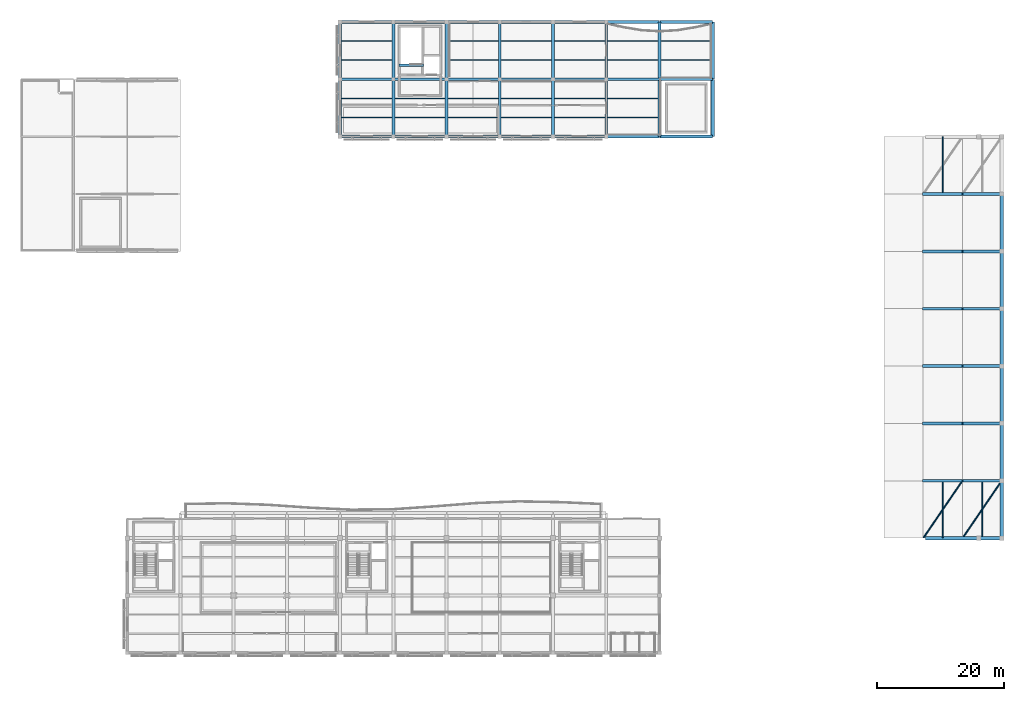
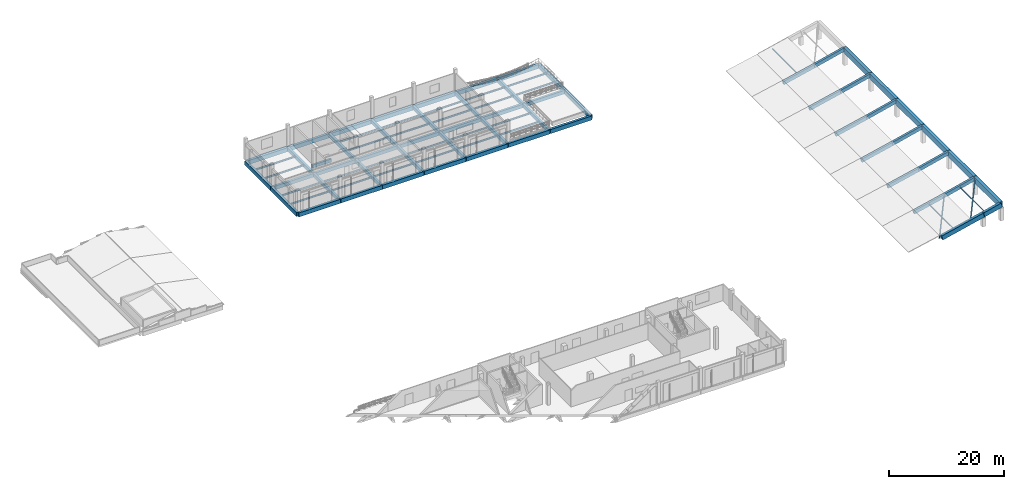
# One storey, part 6 of 28: 82 beams, 5 members.
"""IFC4 building model written with IfcOpenShell, lengths in metres."""

from ifc_helpers import new_model, si_unit, direction, frame, origin, origin_2d, place, context, subcontext, project, spatial, rectangle, hollow_circle, i_section, extrude, material, material_profile, profile_set, type_object, element, save


model = new_model("IFC4")

# Units and contexts
model_context = context("Model", 3, precision=1e-05, world=origin(), true_north=direction((0.0, 1.0)))
body_context = subcontext(model_context, "Body", "Model", "MODEL_VIEW")
ifc_project = project(units=[si_unit("LENGTHUNIT", "METRE"), si_unit("AREAUNIT", "SQUARE_METRE"), si_unit("VOLUMEUNIT", "CUBIC_METRE"), si_unit("PLANEANGLEUNIT", "RADIAN"), si_unit("MASSUNIT", "GRAM", prefix="KILO")], contexts=[model_context])

# Site, building, storey
site_placement = place(None, origin())
site = spatial("IfcSite", under=ifc_project, at=site_placement, CompositionType="ELEMENT")
building_placement = place(site_placement, origin())
building = spatial("IfcBuilding", under=site, at=building_placement, Name="Khurvash Pelagic Aquarium", CompositionType="ELEMENT")
storey_placement = place(building_placement, frame((0.0, 0.0, 20.10009765625)))
storey = spatial("IfcBuildingStorey", under=building, at=storey_placement, Name="L04", CompositionType="ELEMENT", Elevation=20.10009765625)

# Beams
ifc_material_1 = material(Name="Concrete C35/45", Category="concrete")
ifc_material_profile_1 = material_profile(ifc_material_1, rectangle(XDim=0.449951171875, YDim=0.75, at=origin_2d()), Name="RC450X750")
ifc_profile_set_1 = profile_set([ifc_material_profile_1], Name="Concrete C35/45")
beam_type_1 = type_object("IfcBeamType", Name="BM-04", PredefinedType="BEAM", material=ifc_profile_set_1)
beam_1_placement = place(storey_placement, frame((58.840087890625, 93.10009765625, -0.695068359375), z_axis=(1.0, 0.0, 0.0), x_axis=(0.0, 1.0, 0.0)))
element("IfcBeam", 1, at=beam_1_placement, inside=storey, type_object=beam_type_1, Name="L04 Primary Girder BM-04 01081", PredefinedType="BEAM", context=body_context, shape_type="SweptSolid", body=[
    extrude(rectangle(XDim=0.449951171875, YDim=0.75, at=origin_2d()), origin(), (0.0, 0.0, 1.0), 8.31982421875),
])
for number, where, z_axis, x_axis, name in (
    (2, (67.239990234375, 93.10009765625, -0.695068359375), (1.0, 0.0, 0.0), (0.0, 1.0, 0.0), "L04 Primary Girder BM-04 01082"),
    (3, (75.639892578125, 93.10009765625, -0.695068359375), (1.0, 0.0, 0.0), (0.0, 1.0, 0.0), "L04 Primary Girder BM-04 01083"),
    (4, (84.0400390625, 93.10009765625, -0.695068359375), (1.0, 0.0, 0.0), (0.0, 1.0, 0.0), "L04 Primary Girder BM-04 01084"),
    (5, (92.43994140625, 93.10009765625, -0.695068359375), (1.0, 0.0, 0.0), (0.0, 1.0, 0.0), "L04 Primary Girder BM-04 01085"),
):
    element("IfcBeam", number, at=place(storey_placement, frame(where, z_axis=z_axis, x_axis=x_axis)), inside=storey, type_object=beam_type_1, Name=name, PredefinedType="BEAM", context=body_context, shape_type="SweptSolid", body=[
        extrude(rectangle(XDim=0.449951171875, YDim=0.75, at=origin_2d()), origin(), (0.0, 0.0, 1.0), 8.320068359375),
    ])
beam_2_placement = place(storey_placement, frame((100.840087890625, 93.10009765625, -0.695068359375), z_axis=(1.0, 0.0, 0.0), x_axis=(0.0, 1.0, 0.0)))
element("IfcBeam", 6, at=beam_2_placement, inside=storey, type_object=beam_type_1, Name="L04 Primary Girder BM-04 01086", PredefinedType="BEAM", context=body_context, shape_type="SweptSolid", body=[
    extrude(rectangle(XDim=0.449951171875, YDim=0.75, at=origin_2d()), origin(), (0.0, 0.0, 1.0), 8.31982421875),
])
beam_3_placement = place(storey_placement, frame((109.239990234375, 93.10009765625, -0.695068359375), z_axis=(1.0, 0.0, 0.0), x_axis=(0.0, 1.0, 0.0)))
element("IfcBeam", 7, at=beam_3_placement, inside=storey, type_object=beam_type_1, Name="L04 Primary Girder BM-04 01087", PredefinedType="BEAM", context=body_context, shape_type="SweptSolid", body=[
    extrude(rectangle(XDim=0.449951171875, YDim=0.75, at=origin_2d()), origin(), (0.0, 0.0, 1.0), 8.320068359375),
])
beam_4_placement = place(storey_placement, frame((67.199951171875, 84.090087890625, -0.675048828125), z_axis=(0.0, 1.0, 0.0), x_axis=(-1.0, 0.0, 0.0)))
element("IfcBeam", 8, at=beam_4_placement, inside=storey, type_object=beam_type_1, Name="L04 Primary Girder BM-04 01109", PredefinedType="BEAM", context=body_context, shape_type="SweptSolid", body=[
    extrude(rectangle(XDim=0.449951171875, YDim=0.75, at=origin_2d()), origin(), (0.0, 0.0, 1.0), 8.969970703125),
])
beam_5_placement = place(storey_placement, frame((67.199951171875, 93.139892578125, -0.675048828125), z_axis=(0.0, 1.0, 0.0), x_axis=(-1.0, 0.0, 0.0)))
element("IfcBeam", 9, at=beam_5_placement, inside=storey, type_object=beam_type_1, Name="L04 Primary Girder BM-04 01110", PredefinedType="BEAM", context=body_context, shape_type="SweptSolid", body=[
    extrude(rectangle(XDim=0.449951171875, YDim=0.75, at=origin_2d()), origin(), (0.0, 0.0, 1.0), 8.97021484375),
])
beam_6_placement = place(storey_placement, frame((75.60009765625, 84.090087890625, -0.675048828125), z_axis=(0.0, 1.0, 0.0), x_axis=(-1.0, 0.0, 0.0)))
element("IfcBeam", 10, at=beam_6_placement, inside=storey, type_object=beam_type_1, Name="L04 Primary Girder BM-04 01113", PredefinedType="BEAM", context=body_context, shape_type="SweptSolid", body=[
    extrude(rectangle(XDim=0.449951171875, YDim=0.75, at=origin_2d()), origin(), (0.0, 0.0, 1.0), 8.969970703125),
])
beam_7_placement = place(storey_placement, frame((75.60009765625, 93.139892578125, -0.675048828125), z_axis=(0.0, 1.0, 0.0), x_axis=(-1.0, 0.0, 0.0)))
element("IfcBeam", 11, at=beam_7_placement, inside=storey, type_object=beam_type_1, Name="L04 Primary Girder BM-04 01114", PredefinedType="BEAM", context=body_context, shape_type="SweptSolid", body=[
    extrude(rectangle(XDim=0.449951171875, YDim=0.75, at=origin_2d()), origin(), (0.0, 0.0, 1.0), 8.97021484375),
])
beam_8_placement = place(storey_placement, frame((84.0, 84.090087890625, -0.675048828125), z_axis=(0.0, 1.0, 0.0), x_axis=(-1.0, 0.0, 0.0)))
element("IfcBeam", 12, at=beam_8_placement, inside=storey, type_object=beam_type_1, Name="L04 Primary Girder BM-04 01117", PredefinedType="BEAM", context=body_context, shape_type="SweptSolid", body=[
    extrude(rectangle(XDim=0.449951171875, YDim=0.75, at=origin_2d()), origin(), (0.0, 0.0, 1.0), 8.969970703125),
])
beam_9_placement = place(storey_placement, frame((84.0, 93.139892578125, -0.675048828125), z_axis=(0.0, 1.0, 0.0), x_axis=(-1.0, 0.0, 0.0)))
element("IfcBeam", 13, at=beam_9_placement, inside=storey, type_object=beam_type_1, Name="L04 Primary Girder BM-04 01118", PredefinedType="BEAM", context=body_context, shape_type="SweptSolid", body=[
    extrude(rectangle(XDim=0.449951171875, YDim=0.75, at=origin_2d()), origin(), (0.0, 0.0, 1.0), 8.97021484375),
])
beam_10_placement = place(storey_placement, frame((92.39990234375, 84.090087890625, -0.675048828125), z_axis=(0.0, 1.0, 0.0), x_axis=(-1.0, 0.0, 0.0)))
element("IfcBeam", 14, at=beam_10_placement, inside=storey, type_object=beam_type_1, Name="L04 Primary Girder BM-04 01121", PredefinedType="BEAM", context=body_context, shape_type="SweptSolid", body=[
    extrude(rectangle(XDim=0.449951171875, YDim=0.75, at=origin_2d()), origin(), (0.0, 0.0, 1.0), 8.969970703125),
])
beam_11_placement = place(storey_placement, frame((92.39990234375, 93.139892578125, -0.675048828125), z_axis=(0.0, 1.0, 0.0), x_axis=(-1.0, 0.0, 0.0)))
element("IfcBeam", 15, at=beam_11_placement, inside=storey, type_object=beam_type_1, Name="L04 Primary Girder BM-04 01122", PredefinedType="BEAM", context=body_context, shape_type="SweptSolid", body=[
    extrude(rectangle(XDim=0.449951171875, YDim=0.75, at=origin_2d()), origin(), (0.0, 0.0, 1.0), 8.97021484375),
])
beam_12_placement = place(storey_placement, frame((100.800048828125, 84.090087890625, -0.675048828125), z_axis=(0.0, 1.0, 0.0), x_axis=(-1.0, 0.0, 0.0)))
element("IfcBeam", 16, at=beam_12_placement, inside=storey, type_object=beam_type_1, Name="L04 Primary Girder BM-04 01125", PredefinedType="BEAM", context=body_context, shape_type="SweptSolid", body=[
    extrude(rectangle(XDim=0.449951171875, YDim=0.75, at=origin_2d()), origin(), (0.0, 0.0, 1.0), 8.969970703125),
])
beam_13_placement = place(storey_placement, frame((100.800048828125, 93.139892578125, -0.675048828125), z_axis=(0.0, 1.0, 0.0), x_axis=(-1.0, 0.0, 0.0)))
element("IfcBeam", 17, at=beam_13_placement, inside=storey, type_object=beam_type_1, Name="L04 Primary Girder BM-04 01126", PredefinedType="BEAM", context=body_context, shape_type="SweptSolid", body=[
    extrude(rectangle(XDim=0.449951171875, YDim=0.75, at=origin_2d()), origin(), (0.0, 0.0, 1.0), 8.97021484375),
])
beam_14_placement = place(storey_placement, frame((109.199951171875, 84.090087890625, -0.675048828125), z_axis=(0.0, 1.0, 0.0), x_axis=(-1.0, 0.0, 0.0)))
element("IfcBeam", 18, at=beam_14_placement, inside=storey, type_object=beam_type_1, Name="L04 Primary Girder BM-04 01129", PredefinedType="BEAM", context=body_context, shape_type="SweptSolid", body=[
    extrude(rectangle(XDim=0.449951171875, YDim=0.75, at=origin_2d()), origin(), (0.0, 0.0, 1.0), 8.969970703125),
])
beam_15_placement = place(storey_placement, frame((109.199951171875, 93.139892578125, -0.675048828125), z_axis=(0.0, 1.0, 0.0), x_axis=(-1.0, 0.0, 0.0)))
element("IfcBeam", 19, at=beam_15_placement, inside=storey, type_object=beam_type_1, Name="L04 Primary Girder BM-04 01130", PredefinedType="BEAM", context=body_context, shape_type="SweptSolid", body=[
    extrude(rectangle(XDim=0.449951171875, YDim=0.75, at=origin_2d()), origin(), (0.0, 0.0, 1.0), 8.97021484375),
])
ifc_material_profile_2 = material_profile(ifc_material_1, rectangle(XDim=0.39990234375, YDim=0.64990234375, at=origin_2d()), Name="RC400X650")
ifc_profile_set_2 = profile_set([ifc_material_profile_2], Name="Concrete C35/45")
beam_type_2 = type_object("IfcBeamType", Name="BM-05", PredefinedType="BEAM", material=ifc_profile_set_2)
beam_16_placement = place(storey_placement, frame((68.080078125, 95.320068359375, -0.625), z_axis=(1.0, 0.0, 0.0), x_axis=(0.0, 1.0, 0.0)))
element("IfcBeam", 20, at=beam_16_placement, inside=storey, type_object=beam_type_2, Name="L04 Stair ST-04 Header Trimmer Beam BM-05", PredefinedType="BEAM", context=body_context, shape_type="SweptSolid", body=[
    extrude(rectangle(XDim=0.39990234375, YDim=0.64990234375, at=origin_2d()), origin(), (0.0, 0.0, 1.0), 3.83984375),
])
ifc_material_2 = material(Name="Steel-fibre concrete C40/50", Category="concrete")
ifc_material_profile_3 = material_profile(ifc_material_2, rectangle(XDim=0.449951171875, YDim=0.75, at=origin_2d()), Name="RC450X750")
ifc_profile_set_3 = profile_set([ifc_material_profile_3], Name="Steel-fibre concrete C40/50")
beam_type_3 = type_object("IfcBeamType", Name="BM-06", PredefinedType="BEAM", material=ifc_profile_set_3)
beam_17_placement = place(storey_placement, frame((150.81005859375, 29.75, 0.452880859375), z_axis=(0.974949023151, 0.0, 0.222428420523), x_axis=(0.0, 1.0, 0.0)))
element("IfcBeam", 21, at=beam_17_placement, inside=storey, type_object=beam_type_3, Name="Wave Shell Arch Rib BM-06 Grid E Seg 5", PredefinedType="BEAM", context=body_context, shape_type="SweptSolid", body=[
    extrude(rectangle(XDim=0.449951171875, YDim=0.75, at=origin_2d()), origin(), (0.0, 0.0, 1.0), 6.338623046875),
])
beam_18_placement = place(storey_placement, frame((157.010009765625, 29.75, 1.86279296875), z_axis=(0.971422213686, 0.0, 0.237358131855), x_axis=(0.0, 1.0, 0.0)))
element("IfcBeam", 22, at=beam_18_placement, inside=storey, type_object=beam_type_3, Name="Wave Shell Arch Rib BM-06 Grid E Seg 6", PredefinedType="BEAM", context=body_context, shape_type="SweptSolid", body=[
    extrude(rectangle(XDim=0.449951171875, YDim=0.75, at=origin_2d()), origin(), (0.0, 0.0, 1.0), 6.36181640625),
])
beam_19_placement = place(storey_placement, frame((150.81005859375, 38.800048828125, 0.452880859375), z_axis=(0.974949023151, 0.0, 0.222428420523), x_axis=(0.0, 1.0, 0.0)))
element("IfcBeam", 23, at=beam_19_placement, inside=storey, type_object=beam_type_3, Name="Wave Shell Arch Rib BM-06 Grid F Seg 5", PredefinedType="BEAM", context=body_context, shape_type="SweptSolid", body=[
    extrude(rectangle(XDim=0.449951171875, YDim=0.75, at=origin_2d()), origin(), (0.0, 0.0, 1.0), 6.338623046875),
])
beam_20_placement = place(storey_placement, frame((157.010009765625, 38.800048828125, 1.86279296875), z_axis=(0.971422213686, 0.0, 0.237358131855), x_axis=(0.0, 1.0, 0.0)))
element("IfcBeam", 24, at=beam_20_placement, inside=storey, type_object=beam_type_3, Name="Wave Shell Arch Rib BM-06 Grid F Seg 6", PredefinedType="BEAM", context=body_context, shape_type="SweptSolid", body=[
    extrude(rectangle(XDim=0.449951171875, YDim=0.75, at=origin_2d()), origin(), (0.0, 0.0, 1.0), 6.36181640625),
])
beam_21_placement = place(storey_placement, frame((150.81005859375, 47.85009765625, 0.452880859375), z_axis=(0.974949023151, 0.0, 0.222428420523), x_axis=(0.0, 1.0, 0.0)))
element("IfcBeam", 25, at=beam_21_placement, inside=storey, type_object=beam_type_3, Name="Wave Shell Arch Rib BM-06 Grid G Seg 5", PredefinedType="BEAM", context=body_context, shape_type="SweptSolid", body=[
    extrude(rectangle(XDim=0.449951171875, YDim=0.75, at=origin_2d()), origin(), (0.0, 0.0, 1.0), 6.338623046875),
])
beam_22_placement = place(storey_placement, frame((157.010009765625, 47.85009765625, 1.86279296875), z_axis=(0.971422213686, 0.0, 0.237358131855), x_axis=(0.0, 1.0, 0.0)))
element("IfcBeam", 26, at=beam_22_placement, inside=storey, type_object=beam_type_3, Name="Wave Shell Arch Rib BM-06 Grid G Seg 6", PredefinedType="BEAM", context=body_context, shape_type="SweptSolid", body=[
    extrude(rectangle(XDim=0.449951171875, YDim=0.75, at=origin_2d()), origin(), (0.0, 0.0, 1.0), 6.36181640625),
])
beam_23_placement = place(storey_placement, frame((150.81005859375, 56.89990234375, 0.452880859375), z_axis=(0.974949023151, 0.0, 0.222428420523), x_axis=(0.0, 1.0, 0.0)))
element("IfcBeam", 27, at=beam_23_placement, inside=storey, type_object=beam_type_3, Name="Wave Shell Arch Rib BM-06 Grid H Seg 5", PredefinedType="BEAM", context=body_context, shape_type="SweptSolid", body=[
    extrude(rectangle(XDim=0.449951171875, YDim=0.75, at=origin_2d()), origin(), (0.0, 0.0, 1.0), 6.338623046875),
])
beam_24_placement = place(storey_placement, frame((157.010009765625, 56.89990234375, 1.86279296875), z_axis=(0.971422213686, 0.0, 0.237358131855), x_axis=(0.0, 1.0, 0.0)))
element("IfcBeam", 28, at=beam_24_placement, inside=storey, type_object=beam_type_3, Name="Wave Shell Arch Rib BM-06 Grid H Seg 6", PredefinedType="BEAM", context=body_context, shape_type="SweptSolid", body=[
    extrude(rectangle(XDim=0.449951171875, YDim=0.75, at=origin_2d()), origin(), (0.0, 0.0, 1.0), 6.36181640625),
])
beam_25_placement = place(storey_placement, frame((150.81005859375, 65.949951171875, 0.452880859375), z_axis=(0.974949023151, 0.0, 0.222428420523), x_axis=(0.0, 1.0, 0.0)))
element("IfcBeam", 29, at=beam_25_placement, inside=storey, type_object=beam_type_3, Name="Wave Shell Arch Rib BM-06 Grid J Seg 5", PredefinedType="BEAM", context=body_context, shape_type="SweptSolid", body=[
    extrude(rectangle(XDim=0.449951171875, YDim=0.75, at=origin_2d()), origin(), (0.0, 0.0, 1.0), 6.338623046875),
])
beam_26_placement = place(storey_placement, frame((157.010009765625, 65.949951171875, 1.86279296875), z_axis=(0.971422213686, 0.0, 0.237358131855), x_axis=(0.0, 1.0, 0.0)))
element("IfcBeam", 30, at=beam_26_placement, inside=storey, type_object=beam_type_3, Name="Wave Shell Arch Rib BM-06 Grid J Seg 6", PredefinedType="BEAM", context=body_context, shape_type="SweptSolid", body=[
    extrude(rectangle(XDim=0.449951171875, YDim=0.75, at=origin_2d()), origin(), (0.0, 0.0, 1.0), 6.36181640625),
])
beam_27_placement = place(storey_placement, frame((150.81005859375, 75.0, 0.452880859375), z_axis=(0.974949023151, 0.0, 0.222428420523), x_axis=(0.0, 1.0, 0.0)))
element("IfcBeam", 31, at=beam_27_placement, inside=storey, type_object=beam_type_3, Name="Wave Shell Arch Rib BM-06 Grid K Seg 5", PredefinedType="BEAM", context=body_context, shape_type="SweptSolid", body=[
    extrude(rectangle(XDim=0.449951171875, YDim=0.75, at=origin_2d()), origin(), (0.0, 0.0, 1.0), 6.338623046875),
])
beam_28_placement = place(storey_placement, frame((157.010009765625, 75.0, 1.86279296875), z_axis=(0.971422213686, 0.0, 0.237358131855), x_axis=(0.0, 1.0, 0.0)))
element("IfcBeam", 32, at=beam_28_placement, inside=storey, type_object=beam_type_3, Name="Wave Shell Arch Rib BM-06 Grid K Seg 6", PredefinedType="BEAM", context=body_context, shape_type="SweptSolid", body=[
    extrude(rectangle(XDim=0.449951171875, YDim=0.75, at=origin_2d()), origin(), (0.0, 0.0, 1.0), 6.36181640625),
])

# Members
ifc_material_3 = material(Name="Steel S355J2", Category="steel")
ifc_material_profile_4 = material_profile(ifc_material_3, hollow_circle(Radius=0.109619140625, WallThickness=0.010009765625, at=origin_2d()), Name="CHS219X10")
ifc_profile_set_4 = profile_set([ifc_material_profile_4], Name="Steel S355J2")
member_type_1 = type_object("IfcMemberType", Name="CL-01", PredefinedType="COLLAR", material=ifc_profile_set_4)
for number, where, z_axis, x_axis, name in (
    (33, (153.89990234375, 20.719970703125, 1.0849609375), (0.0, 1.0, 0.0), (-1.0, 0.0, 0.0), "Wave Shell Collar Tie CL-01 00009"),
    (34, (160.10009765625, 20.719970703125, 2.544921875), (0.0, 1.0, 0.0), (-1.0, 0.0, 0.0), "Wave Shell Collar Tie CL-01 00011"),
    (35, (153.89990234375, 75.02001953125, 1.0849609375), (0.0, 1.0, 0.0), (-1.0, 0.0, 0.0), "Wave Shell Collar Tie CL-01 00021"),
):
    element("IfcMember", number, at=place(storey_placement, frame(where, z_axis=z_axis, x_axis=x_axis)), inside=storey, type_object=member_type_1, Name=name, PredefinedType="COLLAR", context=body_context, shape_type="SweptSolid", body=[
        extrude(hollow_circle(Radius=0.109619140625, WallThickness=0.010009765625, at=origin_2d()), origin(), (0.0, 0.0, 1.0), 9.010009765625),
    ])

# Beams
ifc_material_profile_5 = material_profile(ifc_material_3, i_section(OverallWidth=0.169921875, OverallDepth=0.360107421875, WebThickness=0.008056640625, FlangeThickness=0.0126953125, at=origin_2d()), Name="IPE360")
ifc_profile_set_5 = profile_set([ifc_material_profile_5], Name="Steel S355J2")
beam_type_4 = type_object("IfcBeamType", Name="JS-04", PredefinedType="JOIST", material=ifc_profile_set_5)
for number, where, z_axis, x_axis, name in (
    (36, (59.050048828125, 87.06689453125, -0.47998046875), (1.0, 0.0, 0.0), (0.0, 1.0, 0.0), "L04 Floor Joist JS-04 01149"),
    (37, (59.050048828125, 90.0830078125, -0.47998046875), (1.0, 0.0, 0.0), (0.0, 1.0, 0.0), "L04 Floor Joist JS-04 01150"),
    (38, (59.050048828125, 96.116943359375, -0.47998046875), (1.0, 0.0, 0.0), (0.0, 1.0, 0.0), "L04 Floor Joist JS-04 01151"),
    (39, (59.050048828125, 99.133056640625, -0.47998046875), (1.0, 0.0, 0.0), (0.0, 1.0, 0.0), "L04 Floor Joist JS-04 01152"),
):
    element("IfcBeam", number, at=place(storey_placement, frame(where, z_axis=z_axis, x_axis=x_axis)), inside=storey, type_object=beam_type_4, Name=name, PredefinedType="JOIST", context=body_context, shape_type="SweptSolid", body=[
        extrude(i_section(OverallWidth=0.169921875, OverallDepth=0.360107421875, WebThickness=0.008056640625, FlangeThickness=0.0126953125, at=origin_2d()), origin(), (0.0, 0.0, 1.0), 7.925048828125),
    ])
for number, where, z_axis, x_axis, name in (
    (40, (67.425048828125, 87.06689453125, -0.47998046875), (1.0, 0.0, 0.0), (0.0, 1.0, 0.0), "L04 Floor Joist JS-04 01157"),
    (41, (67.425048828125, 90.0830078125, -0.47998046875), (1.0, 0.0, 0.0), (0.0, 1.0, 0.0), "L04 Floor Joist JS-04 01158"),
    (42, (75.824951171875, 87.06689453125, -0.47998046875), (1.0, 0.0, 0.0), (0.0, 1.0, 0.0), "L04 Floor Joist JS-04 01163"),
    (43, (75.824951171875, 90.0830078125, -0.47998046875), (1.0, 0.0, 0.0), (0.0, 1.0, 0.0), "L04 Floor Joist JS-04 01164"),
    (44, (75.824951171875, 96.116943359375, -0.47998046875), (1.0, 0.0, 0.0), (0.0, 1.0, 0.0), "L04 Floor Joist JS-04 01165"),
    (45, (75.824951171875, 99.133056640625, -0.47998046875), (1.0, 0.0, 0.0), (0.0, 1.0, 0.0), "L04 Floor Joist JS-04 01166"),
    (46, (84.22509765625, 87.06689453125, -0.47998046875), (1.0, 0.0, 0.0), (0.0, 1.0, 0.0), "L04 Floor Joist JS-04 01171"),
    (47, (84.22509765625, 90.0830078125, -0.47998046875), (1.0, 0.0, 0.0), (0.0, 1.0, 0.0), "L04 Floor Joist JS-04 01172"),
    (48, (84.22509765625, 96.116943359375, -0.47998046875), (1.0, 0.0, 0.0), (0.0, 1.0, 0.0), "L04 Floor Joist JS-04 01173"),
    (49, (84.22509765625, 99.133056640625, -0.47998046875), (1.0, 0.0, 0.0), (0.0, 1.0, 0.0), "L04 Floor Joist JS-04 01174"),
    (50, (92.625, 87.06689453125, -0.47998046875), (1.0, 0.0, 0.0), (0.0, 1.0, 0.0), "L04 Floor Joist JS-04 01177"),
    (51, (92.625, 90.0830078125, -0.47998046875), (1.0, 0.0, 0.0), (0.0, 1.0, 0.0), "L04 Floor Joist JS-04 01178"),
    (52, (92.625, 96.116943359375, -0.47998046875), (1.0, 0.0, 0.0), (0.0, 1.0, 0.0), "L04 Floor Joist JS-04 01179"),
    (53, (92.625, 99.133056640625, -0.47998046875), (1.0, 0.0, 0.0), (0.0, 1.0, 0.0), "L04 Floor Joist JS-04 01180"),
):
    element("IfcBeam", number, at=place(storey_placement, frame(where, z_axis=z_axis, x_axis=x_axis)), inside=storey, type_object=beam_type_4, Name=name, PredefinedType="JOIST", context=body_context, shape_type="SweptSolid", body=[
        extrude(i_section(OverallWidth=0.169921875, OverallDepth=0.360107421875, WebThickness=0.008056640625, FlangeThickness=0.0126953125, at=origin_2d()), origin(), (0.0, 0.0, 1.0), 7.949951171875),
    ])
for number, where, z_axis, x_axis, name in (
    (54, (101.02490234375, 87.06689453125, -0.47998046875), (1.0, 0.0, 0.0), (0.0, 1.0, 0.0), "L04 Floor Joist JS-04 01185"),
    (55, (101.02490234375, 90.0830078125, -0.47998046875), (1.0, 0.0, 0.0), (0.0, 1.0, 0.0), "L04 Floor Joist JS-04 01186"),
    (56, (101.02490234375, 96.116943359375, -0.47998046875), (1.0, 0.0, 0.0), (0.0, 1.0, 0.0), "L04 Floor Joist JS-04 01187"),
    (57, (101.02490234375, 99.133056640625, -0.47998046875), (1.0, 0.0, 0.0), (0.0, 1.0, 0.0), "L04 Floor Joist JS-04 01188"),
):
    element("IfcBeam", number, at=place(storey_placement, frame(where, z_axis=z_axis, x_axis=x_axis)), inside=storey, type_object=beam_type_4, Name=name, PredefinedType="JOIST", context=body_context, shape_type="SweptSolid", body=[
        extrude(i_section(OverallWidth=0.169921875, OverallDepth=0.360107421875, WebThickness=0.008056640625, FlangeThickness=0.0126953125, at=origin_2d()), origin(), (0.0, 0.0, 1.0), 7.9501953125),
    ])
for number, where, z_axis, x_axis, name in (
    (58, (109.425048828125, 96.116943359375, -0.47998046875), (1.0, 0.0, 0.0), (0.0, 1.0, 0.0), "L04 Floor Joist JS-04 01189"),
    (59, (109.425048828125, 99.133056640625, -0.47998046875), (1.0, 0.0, 0.0), (0.0, 1.0, 0.0), "L04 Floor Joist JS-04 01190"),
):
    element("IfcBeam", number, at=place(storey_placement, frame(where, z_axis=z_axis, x_axis=x_axis)), inside=storey, type_object=beam_type_4, Name=name, PredefinedType="JOIST", context=body_context, shape_type="SweptSolid", body=[
        extrude(i_section(OverallWidth=0.169921875, OverallDepth=0.360107421875, WebThickness=0.008056640625, FlangeThickness=0.0126953125, at=origin_2d()), origin(), (0.0, 0.0, 1.0), 7.925048828125),
    ])
ifc_material_4 = material(Name="Concrete C40/50", Category="concrete")
ifc_material_profile_6 = material_profile(ifc_material_4, rectangle(XDim=0.60009765625, YDim=1.199951171875, at=origin_2d()), Name="RC600X1200")
ifc_profile_set_6 = profile_set([ifc_material_profile_6], Name="Concrete C40/50")
beam_type_5 = type_object("IfcBeamType", Name="SEB-01", PredefinedType="SPANDREL", material=ifc_profile_set_6)
for number, where, z_axis, x_axis, name in (
    (60, (163.199951171875, 20.739990234375, 3.14990234375), (0.0, 1.0, 0.0), (-1.0, 0.0, 0.0), "Wave Shell East Crest Spandrel Edge Beam SEB-01 1"),
    (61, (163.199951171875, 29.7900390625, 3.14990234375), (0.0, 1.0, 0.0), (-1.0, 0.0, 0.0), "Wave Shell East Crest Spandrel Edge Beam SEB-01 2"),
    (62, (163.199951171875, 38.840087890625, 3.14990234375), (0.0, 1.0, 0.0), (-1.0, 0.0, 0.0), "Wave Shell East Crest Spandrel Edge Beam SEB-01 3"),
):
    element("IfcBeam", number, at=place(storey_placement, frame(where, z_axis=z_axis, x_axis=x_axis)), inside=storey, type_object=beam_type_5, Name=name, PredefinedType="SPANDREL", context=body_context, shape_type="SweptSolid", body=[
        extrude(rectangle(XDim=0.60009765625, YDim=1.199951171875, at=origin_2d()), origin(), (0.0, 0.0, 1.0), 8.969970703125),
    ])
beam_29_placement = place(storey_placement, frame((163.199951171875, 47.889892578125, 3.14990234375), z_axis=(0.0, 1.0, 0.0), x_axis=(-1.0, 0.0, 0.0)))
element("IfcBeam", 63, at=beam_29_placement, inside=storey, type_object=beam_type_5, Name="Wave Shell East Crest Spandrel Edge Beam SEB-01 4", PredefinedType="SPANDREL", context=body_context, shape_type="SweptSolid", body=[
    extrude(rectangle(XDim=0.60009765625, YDim=1.199951171875, at=origin_2d()), origin(), (0.0, 0.0, 1.0), 8.97021484375),
])
for number, where, z_axis, x_axis, name in (
    (64, (163.199951171875, 56.93994140625, 3.14990234375), (0.0, 1.0, 0.0), (-1.0, 0.0, 0.0), "Wave Shell East Crest Spandrel Edge Beam SEB-01 5"),
    (65, (163.199951171875, 65.989990234375, 3.14990234375), (0.0, 1.0, 0.0), (-1.0, 0.0, 0.0), "Wave Shell East Crest Spandrel Edge Beam SEB-01 6"),
):
    element("IfcBeam", number, at=place(storey_placement, frame(where, z_axis=z_axis, x_axis=x_axis)), inside=storey, type_object=beam_type_5, Name=name, PredefinedType="SPANDREL", context=body_context, shape_type="SweptSolid", body=[
        extrude(rectangle(XDim=0.60009765625, YDim=1.199951171875, at=origin_2d()), origin(), (0.0, 0.0, 1.0), 8.969970703125),
    ])
ifc_material_profile_7 = material_profile(ifc_material_4, rectangle(XDim=0.550048828125, YDim=0.949951171875, at=origin_2d()), Name="RC550X950")
ifc_profile_set_7 = profile_set([ifc_material_profile_7], Name="Concrete C40/50")
beam_type_6 = type_object("IfcBeamType", Name="SEB-02", PredefinedType="SPANDREL", material=ifc_profile_set_7)
beam_30_placement = place(storey_placement, frame((151.239990234375, 20.699951171875, 0.44580078125), z_axis=(0.973560845432, 0.0, 0.228427844716), x_axis=(0.0, 1.0, 0.0)))
element("IfcBeam", 66, at=beam_30_placement, inside=storey, type_object=beam_type_6, Name="Wave Shell South Raking Spandrel Edge Beam SEB-02", PredefinedType="SPANDREL", context=body_context, shape_type="SweptSolid", body=[
    extrude(rectangle(XDim=0.550048828125, YDim=0.949951171875, at=origin_2d()), origin(), (0.0, 0.0, 1.0), 8.5458984375),
])
beam_31_placement = place(storey_placement, frame((159.639892578125, 20.699951171875, 2.39794921875), z_axis=(0.970340120002, 0.0, 0.241743772441), x_axis=(0.0, 1.0, 0.0)))
element("IfcBeam", 67, at=beam_31_placement, inside=storey, type_object=beam_type_6, Name="Wave Shell South Raking Spandrel Edge Beam SEB-02", PredefinedType="SPANDREL", context=body_context, shape_type="SweptSolid", body=[
    extrude(rectangle(XDim=0.550048828125, YDim=0.949951171875, at=origin_2d()), origin(), (0.0, 0.0, 1.0), 3.627685546875),
])
ifc_material_profile_8 = material_profile(ifc_material_4, rectangle(XDim=0.5, YDim=0.85009765625, at=origin_2d()), Name="RC500X850")
ifc_profile_set_8 = profile_set([ifc_material_profile_8], Name="Concrete C40/50")
beam_type_7 = type_object("IfcBeamType", Name="SEB-03", PredefinedType="SPANDREL", material=ifc_profile_set_8)
beam_32_placement = place(storey_placement, frame((58.840087890625, 84.050048828125, -0.7451171875), z_axis=(1.0, 0.0, 0.0), x_axis=(0.0, 1.0, 0.0)))
element("IfcBeam", 68, at=beam_32_placement, inside=storey, type_object=beam_type_7, Name="L04 Primary Girder SEB-03 01074", PredefinedType="SPANDREL", context=body_context, shape_type="SweptSolid", body=[
    extrude(rectangle(XDim=0.5, YDim=0.85009765625, at=origin_2d()), origin(), (0.0, 0.0, 1.0), 8.31982421875),
])
for number, where, z_axis, x_axis, name in (
    (69, (67.239990234375, 84.050048828125, -0.7451171875), (1.0, 0.0, 0.0), (0.0, 1.0, 0.0), "L04 Primary Girder SEB-03 01075"),
    (70, (75.639892578125, 84.050048828125, -0.7451171875), (1.0, 0.0, 0.0), (0.0, 1.0, 0.0), "L04 Primary Girder SEB-03 01076"),
    (71, (84.0400390625, 84.050048828125, -0.7451171875), (1.0, 0.0, 0.0), (0.0, 1.0, 0.0), "L04 Primary Girder SEB-03 01077"),
    (72, (92.43994140625, 84.050048828125, -0.7451171875), (1.0, 0.0, 0.0), (0.0, 1.0, 0.0), "L04 Primary Girder SEB-03 01078"),
):
    element("IfcBeam", number, at=place(storey_placement, frame(where, z_axis=z_axis, x_axis=x_axis)), inside=storey, type_object=beam_type_7, Name=name, PredefinedType="SPANDREL", context=body_context, shape_type="SweptSolid", body=[
        extrude(rectangle(XDim=0.5, YDim=0.85009765625, at=origin_2d()), origin(), (0.0, 0.0, 1.0), 8.320068359375),
    ])
beam_33_placement = place(storey_placement, frame((100.840087890625, 84.050048828125, -0.7451171875), z_axis=(1.0, 0.0, 0.0), x_axis=(0.0, 1.0, 0.0)))
element("IfcBeam", 73, at=beam_33_placement, inside=storey, type_object=beam_type_7, Name="L04 Primary Girder SEB-03 01079", PredefinedType="SPANDREL", context=body_context, shape_type="SweptSolid", body=[
    extrude(rectangle(XDim=0.5, YDim=0.85009765625, at=origin_2d()), origin(), (0.0, 0.0, 1.0), 8.31982421875),
])
beam_34_placement = place(storey_placement, frame((109.239990234375, 84.050048828125, -0.7451171875), z_axis=(1.0, 0.0, 0.0), x_axis=(0.0, 1.0, 0.0)))
element("IfcBeam", 74, at=beam_34_placement, inside=storey, type_object=beam_type_7, Name="L04 Primary Girder SEB-03 01080", PredefinedType="SPANDREL", context=body_context, shape_type="SweptSolid", body=[
    extrude(rectangle(XDim=0.5, YDim=0.85009765625, at=origin_2d()), origin(), (0.0, 0.0, 1.0), 8.320068359375),
])
beam_35_placement = place(storey_placement, frame((58.840087890625, 102.14990234375, -0.7451171875), z_axis=(1.0, 0.0, 0.0), x_axis=(0.0, 1.0, 0.0)))
element("IfcBeam", 75, at=beam_35_placement, inside=storey, type_object=beam_type_7, Name="L04 Primary Girder SEB-03 01088", PredefinedType="SPANDREL", context=body_context, shape_type="SweptSolid", body=[
    extrude(rectangle(XDim=0.5, YDim=0.85009765625, at=origin_2d()), origin(), (0.0, 0.0, 1.0), 8.31982421875),
])
for number, where, z_axis, x_axis, name in (
    (76, (67.239990234375, 102.14990234375, -0.7451171875), (1.0, 0.0, 0.0), (0.0, 1.0, 0.0), "L04 Primary Girder SEB-03 01089"),
    (77, (75.639892578125, 102.14990234375, -0.7451171875), (1.0, 0.0, 0.0), (0.0, 1.0, 0.0), "L04 Primary Girder SEB-03 01090"),
    (78, (84.0400390625, 102.14990234375, -0.7451171875), (1.0, 0.0, 0.0), (0.0, 1.0, 0.0), "L04 Primary Girder SEB-03 01091"),
    (79, (92.43994140625, 102.14990234375, -0.7451171875), (1.0, 0.0, 0.0), (0.0, 1.0, 0.0), "L04 Primary Girder SEB-03 01092"),
):
    element("IfcBeam", number, at=place(storey_placement, frame(where, z_axis=z_axis, x_axis=x_axis)), inside=storey, type_object=beam_type_7, Name=name, PredefinedType="SPANDREL", context=body_context, shape_type="SweptSolid", body=[
        extrude(rectangle(XDim=0.5, YDim=0.85009765625, at=origin_2d()), origin(), (0.0, 0.0, 1.0), 8.320068359375),
    ])
beam_36_placement = place(storey_placement, frame((100.840087890625, 102.14990234375, -0.7451171875), z_axis=(1.0, 0.0, 0.0), x_axis=(0.0, 1.0, 0.0)))
element("IfcBeam", 80, at=beam_36_placement, inside=storey, type_object=beam_type_7, Name="L04 Primary Girder SEB-03 01093", PredefinedType="SPANDREL", context=body_context, shape_type="SweptSolid", body=[
    extrude(rectangle(XDim=0.5, YDim=0.85009765625, at=origin_2d()), origin(), (0.0, 0.0, 1.0), 8.31982421875),
])
beam_37_placement = place(storey_placement, frame((109.239990234375, 102.14990234375, -0.7451171875), z_axis=(1.0, 0.0, 0.0), x_axis=(0.0, 1.0, 0.0)))
element("IfcBeam", 81, at=beam_37_placement, inside=storey, type_object=beam_type_7, Name="L04 Primary Girder SEB-03 01094", PredefinedType="SPANDREL", context=body_context, shape_type="SweptSolid", body=[
    extrude(rectangle(XDim=0.5, YDim=0.85009765625, at=origin_2d()), origin(), (0.0, 0.0, 1.0), 8.320068359375),
])
beam_38_placement = place(storey_placement, frame((58.800048828125, 84.090087890625, -0.72509765625), z_axis=(0.0, 1.0, 0.0), x_axis=(-1.0, 0.0, 0.0)))
element("IfcBeam", 82, at=beam_38_placement, inside=storey, type_object=beam_type_7, Name="L04 Primary Girder SEB-03 01105", PredefinedType="SPANDREL", context=body_context, shape_type="SweptSolid", body=[
    extrude(rectangle(XDim=0.5, YDim=0.85009765625, at=origin_2d()), origin(), (0.0, 0.0, 1.0), 8.969970703125),
])
beam_39_placement = place(storey_placement, frame((58.800048828125, 93.139892578125, -0.72509765625), z_axis=(0.0, 1.0, 0.0), x_axis=(-1.0, 0.0, 0.0)))
element("IfcBeam", 83, at=beam_39_placement, inside=storey, type_object=beam_type_7, Name="L04 Primary Girder SEB-03 01106", PredefinedType="SPANDREL", context=body_context, shape_type="SweptSolid", body=[
    extrude(rectangle(XDim=0.5, YDim=0.85009765625, at=origin_2d()), origin(), (0.0, 0.0, 1.0), 8.97021484375),
])
beam_40_placement = place(storey_placement, frame((117.60009765625, 84.090087890625, -0.72509765625), z_axis=(0.0, 1.0, 0.0), x_axis=(-1.0, 0.0, 0.0)))
element("IfcBeam", 84, at=beam_40_placement, inside=storey, type_object=beam_type_7, Name="L04 Primary Girder SEB-03 01131", PredefinedType="SPANDREL", context=body_context, shape_type="SweptSolid", body=[
    extrude(rectangle(XDim=0.5, YDim=0.85009765625, at=origin_2d()), origin(), (0.0, 0.0, 1.0), 8.969970703125),
])
beam_41_placement = place(storey_placement, frame((117.60009765625, 93.139892578125, -0.72509765625), z_axis=(0.0, 1.0, 0.0), x_axis=(-1.0, 0.0, 0.0)))
element("IfcBeam", 85, at=beam_41_placement, inside=storey, type_object=beam_type_7, Name="L04 Primary Girder SEB-03 01132", PredefinedType="SPANDREL", context=body_context, shape_type="SweptSolid", body=[
    extrude(rectangle(XDim=0.5, YDim=0.85009765625, at=origin_2d()), origin(), (0.0, 0.0, 1.0), 8.97021484375),
])

# Members
ifc_material_profile_9 = material_profile(ifc_material_3, hollow_circle(Radius=0.136474609375, WallThickness=0.012451171875, at=origin_2d()), Name="CHS273X12")
ifc_profile_set_9 = profile_set([ifc_material_profile_9], Name="Steel S355J2")
member_type_2 = type_object("IfcMemberType", Name="SR-01", PredefinedType="STRUT", material=ifc_profile_set_9)
member_1_placement = place(storey_placement, frame((150.840087890625, 20.739990234375, 0.3798828125), z_axis=(0.558895842254, 0.819180282453, 0.128759863127), x_axis=(-0.826056540079, 0.563587253753, 0.0)))
element("IfcMember", 86, at=member_1_placement, inside=storey, type_object=member_type_2, Name="Wave Shell Compression Strut SR-01 00010", PredefinedType="STRUT", context=body_context, shape_type="SweptSolid", body=[
    extrude(hollow_circle(Radius=0.136474609375, WallThickness=0.012451171875, at=origin_2d()), origin(), (0.0, 0.0, 1.0), 10.949951171875),
])
member_2_placement = place(storey_placement, frame((157.0400390625, 20.739990234375, 1.789794921875), z_axis=(0.558215887763, 0.81818366507, 0.137733484893), x_axis=(-0.826056540079, 0.563587253753, 0.0)))
element("IfcMember", 87, at=member_2_placement, inside=storey, type_object=member_type_2, Name="Wave Shell Compression Strut SR-01 00012", PredefinedType="STRUT", context=body_context, shape_type="SweptSolid", body=[
    extrude(hollow_circle(Radius=0.136474609375, WallThickness=0.012451171875, at=origin_2d()), origin(), (0.0, 0.0, 1.0), 10.96337890625),
])

save(model, "model.ifc")
